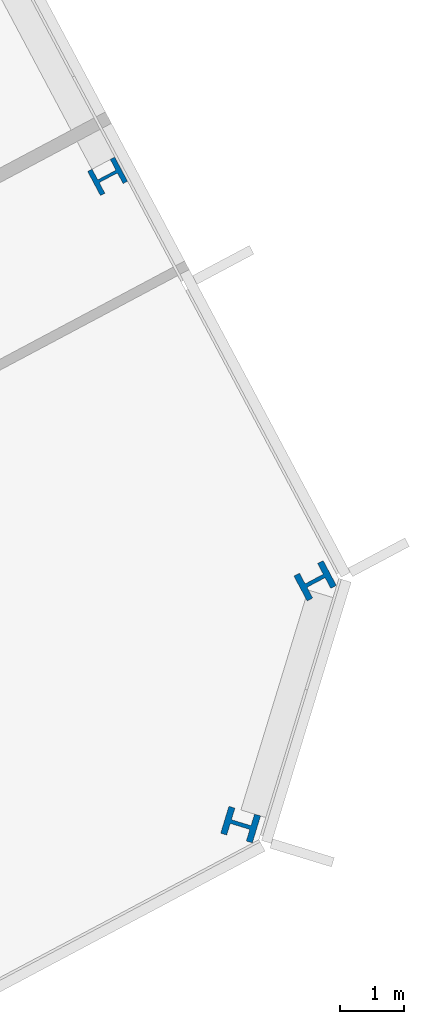
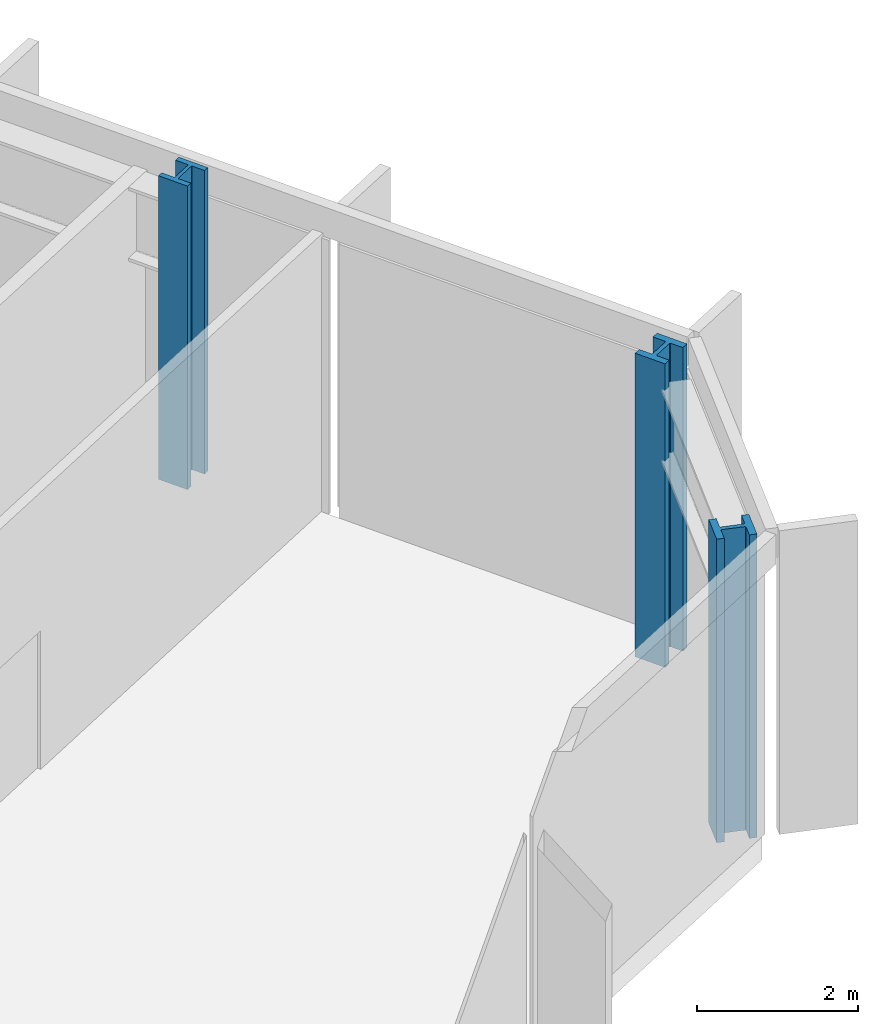
# One storey, part 6 of 31: 3 columns.
"""IFC4 building model written with IfcOpenShell, lengths in metres."""

from ifc_helpers import new_model, si_unit, direction, frame, origin, origin_2d, place, context, subcontext, project, spatial, i_section, extrude, material, material_profile, profile_set, type_object, element, save


model = new_model("IFC4")

# Units and contexts
model_context = context("Model", 3, precision=1e-05, world=origin(), true_north=direction((0.0, 1.0)))
body_context = subcontext(model_context, "Body", "Model", "MODEL_VIEW")
ifc_project = project(units=[si_unit("LENGTHUNIT", "METRE"), si_unit("AREAUNIT", "SQUARE_METRE"), si_unit("VOLUMEUNIT", "CUBIC_METRE"), si_unit("PLANEANGLEUNIT", "RADIAN"), si_unit("MASSUNIT", "GRAM", prefix="KILO")], contexts=[model_context])

# Site, building, storey
site_placement = place(None, origin())
site = spatial("IfcSite", under=ifc_project, at=site_placement, CompositionType="ELEMENT")
building_placement = place(site_placement, origin())
building = spatial("IfcBuilding", under=site, at=building_placement, Name="Cormorant Relay Tower", CompositionType="ELEMENT")
storey_placement = place(building_placement, frame((0.0, 0.0, 93.800048828125)))
storey = spatial("IfcBuildingStorey", under=building, at=storey_placement, Name="L18", CompositionType="ELEMENT", Elevation=93.800048828125)

# Columns
ifc_material_1 = material(Name="Steel ASTM A992 (Fy 345 MPa)", Category="steel")
ifc_material_profile_1 = material_profile(ifc_material_1, i_section(OverallWidth=0.42431640625, OverallDepth=0.47509765625, WebThickness=0.0478515625, FlangeThickness=0.0771484375, FilletRadius=0.014892578125, at=origin_2d()), Name="W360x634")
ifc_profile_set_1 = profile_set([ifc_material_profile_1], Name="Steel ASTM A992 (Fy 345 MPa)")
column_type_1 = type_object("IfcColumnType", Name="Column W360x634", PredefinedType="COLUMN", material=ifc_profile_set_1)
column_placement = place(storey_placement, frame((68.430908203125, 24.153076171875, 0.0), z_axis=(0.0, 0.0, 1.0), x_axis=(-0.469471562786, 0.882947592859, 0.0)))
element("IfcColumn", 1, at=column_placement, inside=storey, type_object=column_type_1, Name="Column L18-033", PredefinedType="COLUMN", context=body_context, shape_type="SweptSolid", body=[
    extrude(i_section(OverallWidth=0.42431640625, OverallDepth=0.47509765625, WebThickness=0.0478515625, FlangeThickness=0.0771484375, FilletRadius=0.014892578125, at=origin_2d()), origin(), (0.0, 0.0, 1.0), 4.599853515625),
])
ifc_material_2 = material(Name="Steel ASTM A992 (Fy 345 MPa)", Category="steel")
ifc_material_profile_2 = material_profile(ifc_material_2, i_section(OverallWidth=0.43701171875, OverallDepth=0.51318359375, WebThickness=0.060546875, FlangeThickness=0.096923828125, FilletRadius=0.015380859375, at=origin_2d()), Name="W360x818")
ifc_profile_set_2 = profile_set([ifc_material_profile_2], Name="Steel ASTM A992 (Fy 345 MPa)")
column_type_2 = type_object("IfcColumnType", Name="Column W360x818", PredefinedType="COLUMN", material=ifc_profile_set_2)
for number, where, z_axis, x_axis, name in (
    (2, (70.4970703125, 14.0869140625, 0.0), (0.0, 0.0, 1.0), (0.292371704723, 0.956304755963, 0.0), "Column L18-026"),
    (3, (71.654052734375, 17.873046875, 0.0), (0.0, 0.0, 1.0), (-0.469471562786, 0.882947592859, 0.0), "Column L18-028"),
):
    element("IfcColumn", number, at=place(storey_placement, frame(where, z_axis=z_axis, x_axis=x_axis)), inside=storey, type_object=column_type_2, Name=name, PredefinedType="COLUMN", context=body_context, shape_type="SweptSolid", body=[
        extrude(i_section(OverallWidth=0.43701171875, OverallDepth=0.51318359375, WebThickness=0.060546875, FlangeThickness=0.096923828125, FilletRadius=0.015380859375, at=origin_2d()), origin(), (0.0, 0.0, 1.0), 4.599853515625),
    ])

save(model, "model.ifc")
